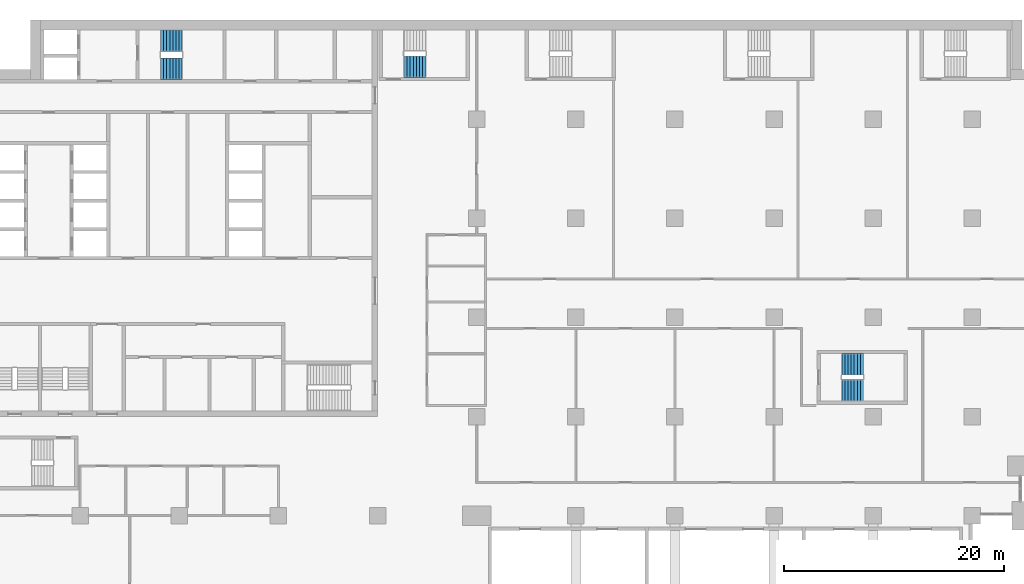
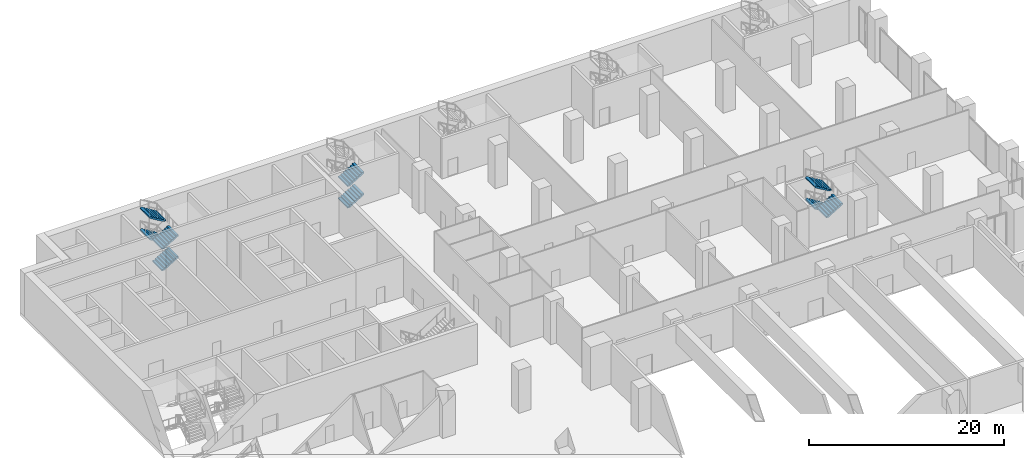
# One storey, part 27 of 43: 9 stair flights, 3 elements without a shape of their own.
"""IFC4 building model written with IfcOpenShell, lengths in metres."""

from ifc_helpers import new_model, si_unit, direction, frame, origin, place, context, subcontext, project, spatial, polyline, outline, extrude, material, type_object, element, aggregate, save


model = new_model("IFC4")

# Units and contexts
model_context = context("Model", 3, precision=1e-05, world=origin(), true_north=direction((0.0, 1.0)))
body_context = subcontext(model_context, "Body", "Model", "MODEL_VIEW")
ifc_project = project(units=[si_unit("LENGTHUNIT", "METRE"), si_unit("AREAUNIT", "SQUARE_METRE"), si_unit("VOLUMEUNIT", "CUBIC_METRE"), si_unit("PLANEANGLEUNIT", "RADIAN"), si_unit("MASSUNIT", "GRAM", prefix="KILO")], contexts=[model_context])

# Site, building, storey
site_placement = place(None, origin())
site = spatial("IfcSite", under=ifc_project, at=site_placement, CompositionType="ELEMENT")
building_placement = place(site_placement, origin())
building = spatial("IfcBuilding", under=site, at=building_placement, Name="Hunhe Ridgeline Campus", CompositionType="ELEMENT")
storey_placement = place(building_placement, frame((0.0, 0.0, 11.39990234375)))
storey = spatial("IfcBuildingStorey", under=building, at=storey_placement, Name="L02", CompositionType="ELEMENT", Elevation=11.39990234375)

# Stair, stair flights
ifc_material = material(Name="Concrete C40", Category="concrete")
stair_type = type_object("IfcStairType", Name="Reinforced concrete dog-leg stair 1950 Concrete C40", PredefinedType="HALF_TURN_STAIR", material=ifc_material)
stair_1_placement = place(storey_placement, origin())
stair_1 = element("IfcStair", 1, at=stair_1_placement, inside=storey, type_object=stair_type, Name="L02 S1", PredefinedType="HALF_TURN_STAIR")
stair_flight_type = type_object("IfcStairFlightType", Name="Reinforced concrete stair flight 1950 Concrete C40", PredefinedType="STRAIGHT", material=ifc_material)
stair_flight_1_placement = place(storey_placement, frame((16.300048828125, 94.574951171875, 0.0), z_axis=(0.0, 0.0, 1.0), x_axis=(1.0, 0.0, 0.0)))
stair_flight_1 = element("IfcStairFlight", 2, at=stair_flight_1_placement, type_object=stair_flight_type, Name="ST1 flight 1", NumberOfRisers=8, NumberOfTreads=7, PredefinedType="STRAIGHT", RiserHeight=0.16875, TreadLength=0.28, context=body_context, shape_type="SweptSolid", body=[
    extrude(outline(polyline([(0.0, 0.0), (0.0, 0.168701171875), (0.280029296875, 0.168701171875), (0.280029296875, 0.33740234375), (0.56005859375, 0.33740234375), (0.56005859375, 0.50634765625), (0.840087890625, 0.50634765625), (0.840087890625, 0.675048828125), (1.1201171875, 0.675048828125), (1.1201171875, 0.84375), (1.39990234375, 0.84375), (1.39990234375, 1.012451171875), (1.679931640625, 1.012451171875), (1.679931640625, 1.18115234375), (1.9599609375, 1.18115234375), (1.9599609375, 1.35009765625), (1.9599609375, 1.00634765625), (0.29052734375, 0.0), (0.0, 0.0)])), frame((0.0, 0.97509765625, 0.0), z_axis=(0.0, -1.0, 0.0), x_axis=(1.0, 0.0, 0.0)), (0.0, 0.0, 1.0), 1.949951171875),
    extrude(outline(polyline([(0.030029296875, 0.030029296875), (0.030029296875, 0.138916015625), (0.31005859375, 0.138916015625), (0.31005859375, 0.3076171875), (0.590087890625, 0.3076171875), (0.590087890625, 0.476318359375), (0.8701171875, 0.476318359375), (0.8701171875, 0.64501953125), (1.14990234375, 0.64501953125), (1.14990234375, 0.813720703125), (1.429931640625, 0.813720703125), (1.429931640625, 0.982421875), (1.7099609375, 0.982421875), (1.7099609375, 1.1513671875), (1.929931640625, 1.1513671875), (1.929931640625, 1.023193359375), (0.281982421875, 0.030029296875), (0.030029296875, 0.030029296875)])), frame((0.0, -0.070068359375, 0.0), z_axis=(0.0, -1.0, 0.0), x_axis=(1.0, 0.0, 0.0)), (0.0, 0.0, 1.0), 0.019775390625),
    extrude(outline(polyline([(0.030029296875, 0.030029296875), (0.030029296875, 0.138916015625), (0.31005859375, 0.138916015625), (0.31005859375, 0.3076171875), (0.590087890625, 0.3076171875), (0.590087890625, 0.476318359375), (0.8701171875, 0.476318359375), (0.8701171875, 0.64501953125), (1.14990234375, 0.64501953125), (1.14990234375, 0.813720703125), (1.429931640625, 0.813720703125), (1.429931640625, 0.982421875), (1.7099609375, 0.982421875), (1.7099609375, 1.1513671875), (1.929931640625, 1.1513671875), (1.929931640625, 1.023193359375), (0.281982421875, 0.030029296875), (0.030029296875, 0.030029296875)])), frame((0.0, 0.010009765625, 0.0), z_axis=(0.0, -1.0, 0.0), x_axis=(1.0, 0.0, 0.0)), (0.0, 0.0, 1.0), 0.019775390625),
    extrude(outline(polyline([(0.030029296875, 0.030029296875), (0.030029296875, 0.138916015625), (0.31005859375, 0.138916015625), (0.31005859375, 0.3076171875), (0.590087890625, 0.3076171875), (0.590087890625, 0.476318359375), (0.8701171875, 0.476318359375), (0.8701171875, 0.64501953125), (1.14990234375, 0.64501953125), (1.14990234375, 0.813720703125), (1.429931640625, 0.813720703125), (1.429931640625, 0.982421875), (1.7099609375, 0.982421875), (1.7099609375, 1.1513671875), (1.929931640625, 1.1513671875), (1.929931640625, 1.023193359375), (0.281982421875, 0.030029296875), (0.030029296875, 0.030029296875)])), frame((0.0, 0.090087890625, 0.0), z_axis=(0.0, -1.0, 0.0), x_axis=(1.0, 0.0, 0.0)), (0.0, 0.0, 1.0), 0.019775390625),
])
stair_flight_2_placement = place(storey_placement, frame((18.260009765625, 97.125, 1.35009765625), z_axis=(0.0, 0.0, 1.0), x_axis=(-1.0, 0.0, 0.0)))
stair_flight_2 = element("IfcStairFlight", 3, at=stair_flight_2_placement, type_object=stair_flight_type, Name="ST1 flight 2", NumberOfRisers=8, NumberOfTreads=7, PredefinedType="STRAIGHT", RiserHeight=0.16875, TreadLength=0.28, context=body_context, shape_type="SweptSolid", body=[
    extrude(outline(polyline([(0.0, 0.0), (0.0, 0.168701171875), (0.280029296875, 0.168701171875), (0.280029296875, 0.33740234375), (0.56005859375, 0.33740234375), (0.56005859375, 0.50634765625), (0.840087890625, 0.50634765625), (0.840087890625, 0.675048828125), (1.1201171875, 0.675048828125), (1.1201171875, 0.84375), (1.39990234375, 0.84375), (1.39990234375, 1.012451171875), (1.679931640625, 1.012451171875), (1.679931640625, 1.18115234375), (1.9599609375, 1.18115234375), (1.9599609375, 1.35009765625), (1.9599609375, 1.00634765625), (0.29052734375, 0.0), (0.0, 0.0)])), frame((0.0, 0.97509765625, 0.0), z_axis=(0.0, -1.0, 0.0), x_axis=(1.0, 0.0, 0.0)), (0.0, 0.0, 1.0), 1.949951171875),
    extrude(outline(polyline([(0.030029296875, 0.030029296875), (0.030029296875, 0.138916015625), (0.31005859375, 0.138916015625), (0.31005859375, 0.3076171875), (0.590087890625, 0.3076171875), (0.590087890625, 0.476318359375), (0.8701171875, 0.476318359375), (0.8701171875, 0.64501953125), (1.14990234375, 0.64501953125), (1.14990234375, 0.813720703125), (1.429931640625, 0.813720703125), (1.429931640625, 0.982421875), (1.7099609375, 0.982421875), (1.7099609375, 1.1513671875), (1.929931640625, 1.1513671875), (1.929931640625, 1.023193359375), (0.281982421875, 0.030029296875), (0.030029296875, 0.030029296875)])), frame((0.0, -0.070068359375, 0.0), z_axis=(0.0, -1.0, 0.0), x_axis=(1.0, 0.0, 0.0)), (0.0, 0.0, 1.0), 0.019775390625),
    extrude(outline(polyline([(0.030029296875, 0.030029296875), (0.030029296875, 0.138916015625), (0.31005859375, 0.138916015625), (0.31005859375, 0.3076171875), (0.590087890625, 0.3076171875), (0.590087890625, 0.476318359375), (0.8701171875, 0.476318359375), (0.8701171875, 0.64501953125), (1.14990234375, 0.64501953125), (1.14990234375, 0.813720703125), (1.429931640625, 0.813720703125), (1.429931640625, 0.982421875), (1.7099609375, 0.982421875), (1.7099609375, 1.1513671875), (1.929931640625, 1.1513671875), (1.929931640625, 1.023193359375), (0.281982421875, 0.030029296875), (0.030029296875, 0.030029296875)])), frame((0.0, 0.010009765625, 0.0), z_axis=(0.0, -1.0, 0.0), x_axis=(1.0, 0.0, 0.0)), (0.0, 0.0, 1.0), 0.019775390625),
    extrude(outline(polyline([(0.030029296875, 0.030029296875), (0.030029296875, 0.138916015625), (0.31005859375, 0.138916015625), (0.31005859375, 0.3076171875), (0.590087890625, 0.3076171875), (0.590087890625, 0.476318359375), (0.8701171875, 0.476318359375), (0.8701171875, 0.64501953125), (1.14990234375, 0.64501953125), (1.14990234375, 0.813720703125), (1.429931640625, 0.813720703125), (1.429931640625, 0.982421875), (1.7099609375, 0.982421875), (1.7099609375, 1.1513671875), (1.929931640625, 1.1513671875), (1.929931640625, 1.023193359375), (0.281982421875, 0.030029296875), (0.030029296875, 0.030029296875)])), frame((0.0, 0.090087890625, 0.0), z_axis=(0.0, -1.0, 0.0), x_axis=(1.0, 0.0, 0.0)), (0.0, 0.0, 1.0), 0.019775390625),
])
stair_flight_3_placement = place(storey_placement, frame((16.300048828125, 94.574951171875, 2.7001953125), z_axis=(0.0, 0.0, 1.0), x_axis=(1.0, 0.0, 0.0)))
stair_flight_3 = element("IfcStairFlight", 4, at=stair_flight_3_placement, type_object=stair_flight_type, Name="ST1 flight 3", NumberOfRisers=8, NumberOfTreads=7, PredefinedType="STRAIGHT", RiserHeight=0.16875, TreadLength=0.28, context=body_context, shape_type="SweptSolid", body=[
    extrude(outline(polyline([(0.0, 0.0), (0.0, 0.168701171875), (0.280029296875, 0.168701171875), (0.280029296875, 0.33740234375), (0.56005859375, 0.33740234375), (0.56005859375, 0.50634765625), (0.840087890625, 0.50634765625), (0.840087890625, 0.675048828125), (1.1201171875, 0.675048828125), (1.1201171875, 0.84375), (1.39990234375, 0.84375), (1.39990234375, 1.012451171875), (1.679931640625, 1.012451171875), (1.679931640625, 1.18115234375), (1.9599609375, 1.18115234375), (1.9599609375, 1.35009765625), (1.9599609375, 1.00634765625), (0.29052734375, 0.0), (0.0, 0.0)])), frame((0.0, 0.97509765625, 0.0), z_axis=(0.0, -1.0, 0.0), x_axis=(1.0, 0.0, 0.0)), (0.0, 0.0, 1.0), 1.949951171875),
    extrude(outline(polyline([(0.030029296875, 0.030029296875), (0.030029296875, 0.138916015625), (0.31005859375, 0.138916015625), (0.31005859375, 0.3076171875), (0.590087890625, 0.3076171875), (0.590087890625, 0.476318359375), (0.8701171875, 0.476318359375), (0.8701171875, 0.64501953125), (1.14990234375, 0.64501953125), (1.14990234375, 0.813720703125), (1.429931640625, 0.813720703125), (1.429931640625, 0.982421875), (1.7099609375, 0.982421875), (1.7099609375, 1.1513671875), (1.929931640625, 1.1513671875), (1.929931640625, 1.023193359375), (0.281982421875, 0.030029296875), (0.030029296875, 0.030029296875)])), frame((0.0, -0.070068359375, 0.0), z_axis=(0.0, -1.0, 0.0), x_axis=(1.0, 0.0, 0.0)), (0.0, 0.0, 1.0), 0.019775390625),
    extrude(outline(polyline([(0.030029296875, 0.030029296875), (0.030029296875, 0.138916015625), (0.31005859375, 0.138916015625), (0.31005859375, 0.3076171875), (0.590087890625, 0.3076171875), (0.590087890625, 0.476318359375), (0.8701171875, 0.476318359375), (0.8701171875, 0.64501953125), (1.14990234375, 0.64501953125), (1.14990234375, 0.813720703125), (1.429931640625, 0.813720703125), (1.429931640625, 0.982421875), (1.7099609375, 0.982421875), (1.7099609375, 1.1513671875), (1.929931640625, 1.1513671875), (1.929931640625, 1.023193359375), (0.281982421875, 0.030029296875), (0.030029296875, 0.030029296875)])), frame((0.0, 0.010009765625, 0.0), z_axis=(0.0, -1.0, 0.0), x_axis=(1.0, 0.0, 0.0)), (0.0, 0.0, 1.0), 0.019775390625),
    extrude(outline(polyline([(0.030029296875, 0.030029296875), (0.030029296875, 0.138916015625), (0.31005859375, 0.138916015625), (0.31005859375, 0.3076171875), (0.590087890625, 0.3076171875), (0.590087890625, 0.476318359375), (0.8701171875, 0.476318359375), (0.8701171875, 0.64501953125), (1.14990234375, 0.64501953125), (1.14990234375, 0.813720703125), (1.429931640625, 0.813720703125), (1.429931640625, 0.982421875), (1.7099609375, 0.982421875), (1.7099609375, 1.1513671875), (1.929931640625, 1.1513671875), (1.929931640625, 1.023193359375), (0.281982421875, 0.030029296875), (0.030029296875, 0.030029296875)])), frame((0.0, 0.090087890625, 0.0), z_axis=(0.0, -1.0, 0.0), x_axis=(1.0, 0.0, 0.0)), (0.0, 0.0, 1.0), 0.019775390625),
])
stair_flight_4_placement = place(storey_placement, frame((18.260009765625, 97.125, 4.050048828125), z_axis=(0.0, 0.0, 1.0), x_axis=(-1.0, 0.0, 0.0)))
stair_flight_4 = element("IfcStairFlight", 5, at=stair_flight_4_placement, type_object=stair_flight_type, Name="ST1 flight 4", NumberOfRisers=8, NumberOfTreads=7, PredefinedType="STRAIGHT", RiserHeight=0.16875, TreadLength=0.28, context=body_context, shape_type="SweptSolid", body=[
    extrude(outline(polyline([(0.0, 0.0), (0.0, 0.168701171875), (0.280029296875, 0.168701171875), (0.280029296875, 0.33740234375), (0.56005859375, 0.33740234375), (0.56005859375, 0.50634765625), (0.840087890625, 0.50634765625), (0.840087890625, 0.675048828125), (1.1201171875, 0.675048828125), (1.1201171875, 0.84375), (1.39990234375, 0.84375), (1.39990234375, 1.012451171875), (1.679931640625, 1.012451171875), (1.679931640625, 1.18115234375), (1.9599609375, 1.18115234375), (1.9599609375, 1.35009765625), (1.9599609375, 1.00634765625), (0.29052734375, 0.0), (0.0, 0.0)])), frame((0.0, 0.97509765625, 0.0), z_axis=(0.0, -1.0, 0.0), x_axis=(1.0, 0.0, 0.0)), (0.0, 0.0, 1.0), 1.949951171875),
    extrude(outline(polyline([(0.030029296875, 0.030029296875), (0.030029296875, 0.138916015625), (0.31005859375, 0.138916015625), (0.31005859375, 0.3076171875), (0.590087890625, 0.3076171875), (0.590087890625, 0.476318359375), (0.8701171875, 0.476318359375), (0.8701171875, 0.64501953125), (1.14990234375, 0.64501953125), (1.14990234375, 0.813720703125), (1.429931640625, 0.813720703125), (1.429931640625, 0.982421875), (1.7099609375, 0.982421875), (1.7099609375, 1.1513671875), (1.929931640625, 1.1513671875), (1.929931640625, 1.023193359375), (0.281982421875, 0.030029296875), (0.030029296875, 0.030029296875)])), frame((0.0, -0.070068359375, 0.0), z_axis=(0.0, -1.0, 0.0), x_axis=(1.0, 0.0, 0.0)), (0.0, 0.0, 1.0), 0.019775390625),
    extrude(outline(polyline([(0.030029296875, 0.030029296875), (0.030029296875, 0.138916015625), (0.31005859375, 0.138916015625), (0.31005859375, 0.3076171875), (0.590087890625, 0.3076171875), (0.590087890625, 0.476318359375), (0.8701171875, 0.476318359375), (0.8701171875, 0.64501953125), (1.14990234375, 0.64501953125), (1.14990234375, 0.813720703125), (1.429931640625, 0.813720703125), (1.429931640625, 0.982421875), (1.7099609375, 0.982421875), (1.7099609375, 1.1513671875), (1.929931640625, 1.1513671875), (1.929931640625, 1.023193359375), (0.281982421875, 0.030029296875), (0.030029296875, 0.030029296875)])), frame((0.0, 0.010009765625, 0.0), z_axis=(0.0, -1.0, 0.0), x_axis=(1.0, 0.0, 0.0)), (0.0, 0.0, 1.0), 0.019775390625),
    extrude(outline(polyline([(0.030029296875, 0.030029296875), (0.030029296875, 0.138916015625), (0.31005859375, 0.138916015625), (0.31005859375, 0.3076171875), (0.590087890625, 0.3076171875), (0.590087890625, 0.476318359375), (0.8701171875, 0.476318359375), (0.8701171875, 0.64501953125), (1.14990234375, 0.64501953125), (1.14990234375, 0.813720703125), (1.429931640625, 0.813720703125), (1.429931640625, 0.982421875), (1.7099609375, 0.982421875), (1.7099609375, 1.1513671875), (1.929931640625, 1.1513671875), (1.929931640625, 1.023193359375), (0.281982421875, 0.030029296875), (0.030029296875, 0.030029296875)])), frame((0.0, 0.090087890625, 0.0), z_axis=(0.0, -1.0, 0.0), x_axis=(1.0, 0.0, 0.0)), (0.0, 0.0, 1.0), 0.019775390625),
])
aggregate(stair_1, [stair_flight_1, stair_flight_2, stair_flight_3, stair_flight_4])

stair_2_placement = place(storey_placement, origin())
stair_2 = element("IfcStair", 6, at=stair_2_placement, inside=storey, type_object=stair_type, Name="L02 E1", PredefinedType="HALF_TURN_STAIR")
stair_flight_5_placement = place(storey_placement, frame((38.39990234375, 94.77490234375, 0.0), z_axis=(0.0, 0.0, 1.0), x_axis=(1.0, 0.0, 0.0)))
stair_flight_5 = element("IfcStairFlight", 7, at=stair_flight_5_placement, type_object=stair_flight_type, Name="ST5 flight 1", NumberOfRisers=8, NumberOfTreads=7, PredefinedType="STRAIGHT", RiserHeight=0.16875, TreadLength=0.28, context=body_context, shape_type="SweptSolid", body=[
    extrude(outline(polyline([(0.0, 0.0), (0.0, 0.168701171875), (0.280029296875, 0.168701171875), (0.280029296875, 0.33740234375), (0.56005859375, 0.33740234375), (0.56005859375, 0.50634765625), (0.840087890625, 0.50634765625), (0.840087890625, 0.675048828125), (1.1201171875, 0.675048828125), (1.1201171875, 0.84375), (1.39990234375, 0.84375), (1.39990234375, 1.012451171875), (1.679931640625, 1.012451171875), (1.679931640625, 1.18115234375), (1.9599609375, 1.18115234375), (1.9599609375, 1.35009765625), (1.9599609375, 1.00634765625), (0.29052734375, 0.0), (0.0, 0.0)])), frame((0.0, 0.97509765625, 0.0), z_axis=(0.0, -1.0, 0.0), x_axis=(1.0, 0.0, 0.0)), (0.0, 0.0, 1.0), 1.949951171875),
    extrude(outline(polyline([(0.030029296875, 0.030029296875), (0.030029296875, 0.138916015625), (0.31005859375, 0.138916015625), (0.31005859375, 0.3076171875), (0.590087890625, 0.3076171875), (0.590087890625, 0.476318359375), (0.8701171875, 0.476318359375), (0.8701171875, 0.64501953125), (1.14990234375, 0.64501953125), (1.14990234375, 0.813720703125), (1.429931640625, 0.813720703125), (1.429931640625, 0.982421875), (1.7099609375, 0.982421875), (1.7099609375, 1.1513671875), (1.929931640625, 1.1513671875), (1.929931640625, 1.023193359375), (0.281982421875, 0.030029296875), (0.030029296875, 0.030029296875)])), frame((0.0, -0.070068359375, 0.0), z_axis=(0.0, -1.0, 0.0), x_axis=(1.0, 0.0, 0.0)), (0.0, 0.0, 1.0), 0.019775390625),
    extrude(outline(polyline([(0.030029296875, 0.030029296875), (0.030029296875, 0.138916015625), (0.31005859375, 0.138916015625), (0.31005859375, 0.3076171875), (0.590087890625, 0.3076171875), (0.590087890625, 0.476318359375), (0.8701171875, 0.476318359375), (0.8701171875, 0.64501953125), (1.14990234375, 0.64501953125), (1.14990234375, 0.813720703125), (1.429931640625, 0.813720703125), (1.429931640625, 0.982421875), (1.7099609375, 0.982421875), (1.7099609375, 1.1513671875), (1.929931640625, 1.1513671875), (1.929931640625, 1.023193359375), (0.281982421875, 0.030029296875), (0.030029296875, 0.030029296875)])), frame((0.0, 0.010009765625, 0.0), z_axis=(0.0, -1.0, 0.0), x_axis=(1.0, 0.0, 0.0)), (0.0, 0.0, 1.0), 0.019775390625),
    extrude(outline(polyline([(0.030029296875, 0.030029296875), (0.030029296875, 0.138916015625), (0.31005859375, 0.138916015625), (0.31005859375, 0.3076171875), (0.590087890625, 0.3076171875), (0.590087890625, 0.476318359375), (0.8701171875, 0.476318359375), (0.8701171875, 0.64501953125), (1.14990234375, 0.64501953125), (1.14990234375, 0.813720703125), (1.429931640625, 0.813720703125), (1.429931640625, 0.982421875), (1.7099609375, 0.982421875), (1.7099609375, 1.1513671875), (1.929931640625, 1.1513671875), (1.929931640625, 1.023193359375), (0.281982421875, 0.030029296875), (0.030029296875, 0.030029296875)])), frame((0.0, 0.090087890625, 0.0), z_axis=(0.0, -1.0, 0.0), x_axis=(1.0, 0.0, 0.0)), (0.0, 0.0, 1.0), 0.019775390625),
])
stair_flight_6_placement = place(storey_placement, frame((38.39990234375, 94.77490234375, 2.7001953125), z_axis=(0.0, 0.0, 1.0), x_axis=(1.0, 0.0, 0.0)))
stair_flight_6 = element("IfcStairFlight", 8, at=stair_flight_6_placement, type_object=stair_flight_type, Name="ST5 flight 3", NumberOfRisers=8, NumberOfTreads=7, PredefinedType="STRAIGHT", RiserHeight=0.16875, TreadLength=0.28, context=body_context, shape_type="SweptSolid", body=[
    extrude(outline(polyline([(0.0, 0.0), (0.0, 0.168701171875), (0.280029296875, 0.168701171875), (0.280029296875, 0.33740234375), (0.56005859375, 0.33740234375), (0.56005859375, 0.50634765625), (0.840087890625, 0.50634765625), (0.840087890625, 0.675048828125), (1.1201171875, 0.675048828125), (1.1201171875, 0.84375), (1.39990234375, 0.84375), (1.39990234375, 1.012451171875), (1.679931640625, 1.012451171875), (1.679931640625, 1.18115234375), (1.9599609375, 1.18115234375), (1.9599609375, 1.35009765625), (1.9599609375, 1.00634765625), (0.29052734375, 0.0), (0.0, 0.0)])), frame((0.0, 0.97509765625, 0.0), z_axis=(0.0, -1.0, 0.0), x_axis=(1.0, 0.0, 0.0)), (0.0, 0.0, 1.0), 1.949951171875),
    extrude(outline(polyline([(0.030029296875, 0.030029296875), (0.030029296875, 0.138916015625), (0.31005859375, 0.138916015625), (0.31005859375, 0.3076171875), (0.590087890625, 0.3076171875), (0.590087890625, 0.476318359375), (0.8701171875, 0.476318359375), (0.8701171875, 0.64501953125), (1.14990234375, 0.64501953125), (1.14990234375, 0.813720703125), (1.429931640625, 0.813720703125), (1.429931640625, 0.982421875), (1.7099609375, 0.982421875), (1.7099609375, 1.1513671875), (1.929931640625, 1.1513671875), (1.929931640625, 1.023193359375), (0.281982421875, 0.030029296875), (0.030029296875, 0.030029296875)])), frame((0.0, -0.070068359375, 0.0), z_axis=(0.0, -1.0, 0.0), x_axis=(1.0, 0.0, 0.0)), (0.0, 0.0, 1.0), 0.019775390625),
    extrude(outline(polyline([(0.030029296875, 0.030029296875), (0.030029296875, 0.138916015625), (0.31005859375, 0.138916015625), (0.31005859375, 0.3076171875), (0.590087890625, 0.3076171875), (0.590087890625, 0.476318359375), (0.8701171875, 0.476318359375), (0.8701171875, 0.64501953125), (1.14990234375, 0.64501953125), (1.14990234375, 0.813720703125), (1.429931640625, 0.813720703125), (1.429931640625, 0.982421875), (1.7099609375, 0.982421875), (1.7099609375, 1.1513671875), (1.929931640625, 1.1513671875), (1.929931640625, 1.023193359375), (0.281982421875, 0.030029296875), (0.030029296875, 0.030029296875)])), frame((0.0, 0.010009765625, 0.0), z_axis=(0.0, -1.0, 0.0), x_axis=(1.0, 0.0, 0.0)), (0.0, 0.0, 1.0), 0.019775390625),
    extrude(outline(polyline([(0.030029296875, 0.030029296875), (0.030029296875, 0.138916015625), (0.31005859375, 0.138916015625), (0.31005859375, 0.3076171875), (0.590087890625, 0.3076171875), (0.590087890625, 0.476318359375), (0.8701171875, 0.476318359375), (0.8701171875, 0.64501953125), (1.14990234375, 0.64501953125), (1.14990234375, 0.813720703125), (1.429931640625, 0.813720703125), (1.429931640625, 0.982421875), (1.7099609375, 0.982421875), (1.7099609375, 1.1513671875), (1.929931640625, 1.1513671875), (1.929931640625, 1.023193359375), (0.281982421875, 0.030029296875), (0.030029296875, 0.030029296875)])), frame((0.0, 0.090087890625, 0.0), z_axis=(0.0, -1.0, 0.0), x_axis=(1.0, 0.0, 0.0)), (0.0, 0.0, 1.0), 0.019775390625),
])
aggregate(stair_2, [stair_flight_5, stair_flight_6])

stair_3_placement = place(storey_placement, origin())
stair_3 = element("IfcStair", 9, at=stair_3_placement, inside=storey, type_object=stair_type, Name="L02 E5", PredefinedType="HALF_TURN_STAIR")
stair_flight_7_placement = place(storey_placement, frame((80.110107421875, 67.72509765625, 1.35009765625), z_axis=(0.0, 0.0, 1.0), x_axis=(-1.0, 0.0, 0.0)))
stair_flight_7 = element("IfcStairFlight", 10, at=stair_flight_7_placement, type_object=stair_flight_type, Name="ST10 flight 2", NumberOfRisers=8, NumberOfTreads=7, PredefinedType="STRAIGHT", RiserHeight=0.16875, TreadLength=0.28, context=body_context, shape_type="SweptSolid", body=[
    extrude(outline(polyline([(0.0, 0.0), (0.0, 0.168701171875), (0.280029296875, 0.168701171875), (0.280029296875, 0.33740234375), (0.56005859375, 0.33740234375), (0.56005859375, 0.50634765625), (0.840087890625, 0.50634765625), (0.840087890625, 0.675048828125), (1.1201171875, 0.675048828125), (1.1201171875, 0.84375), (1.39990234375, 0.84375), (1.39990234375, 1.012451171875), (1.679931640625, 1.012451171875), (1.679931640625, 1.18115234375), (1.9599609375, 1.18115234375), (1.9599609375, 1.35009765625), (1.9599609375, 1.00634765625), (0.29052734375, 0.0), (0.0, 0.0)])), frame((0.0, 0.97509765625, 0.0), z_axis=(0.0, -1.0, 0.0), x_axis=(1.0, 0.0, 0.0)), (0.0, 0.0, 1.0), 1.949951171875),
    extrude(outline(polyline([(0.030029296875, 0.030029296875), (0.030029296875, 0.138916015625), (0.31005859375, 0.138916015625), (0.31005859375, 0.3076171875), (0.590087890625, 0.3076171875), (0.590087890625, 0.476318359375), (0.8701171875, 0.476318359375), (0.8701171875, 0.64501953125), (1.14990234375, 0.64501953125), (1.14990234375, 0.813720703125), (1.429931640625, 0.813720703125), (1.429931640625, 0.982421875), (1.7099609375, 0.982421875), (1.7099609375, 1.1513671875), (1.929931640625, 1.1513671875), (1.929931640625, 1.023193359375), (0.281982421875, 0.030029296875), (0.030029296875, 0.030029296875)])), frame((0.0, -0.070068359375, 0.0), z_axis=(0.0, -1.0, 0.0), x_axis=(1.0, 0.0, 0.0)), (0.0, 0.0, 1.0), 0.019775390625),
    extrude(outline(polyline([(0.030029296875, 0.030029296875), (0.030029296875, 0.138916015625), (0.31005859375, 0.138916015625), (0.31005859375, 0.3076171875), (0.590087890625, 0.3076171875), (0.590087890625, 0.476318359375), (0.8701171875, 0.476318359375), (0.8701171875, 0.64501953125), (1.14990234375, 0.64501953125), (1.14990234375, 0.813720703125), (1.429931640625, 0.813720703125), (1.429931640625, 0.982421875), (1.7099609375, 0.982421875), (1.7099609375, 1.1513671875), (1.929931640625, 1.1513671875), (1.929931640625, 1.023193359375), (0.281982421875, 0.030029296875), (0.030029296875, 0.030029296875)])), frame((0.0, 0.010009765625, 0.0), z_axis=(0.0, -1.0, 0.0), x_axis=(1.0, 0.0, 0.0)), (0.0, 0.0, 1.0), 0.019775390625),
    extrude(outline(polyline([(0.030029296875, 0.030029296875), (0.030029296875, 0.138916015625), (0.31005859375, 0.138916015625), (0.31005859375, 0.3076171875), (0.590087890625, 0.3076171875), (0.590087890625, 0.476318359375), (0.8701171875, 0.476318359375), (0.8701171875, 0.64501953125), (1.14990234375, 0.64501953125), (1.14990234375, 0.813720703125), (1.429931640625, 0.813720703125), (1.429931640625, 0.982421875), (1.7099609375, 0.982421875), (1.7099609375, 1.1513671875), (1.929931640625, 1.1513671875), (1.929931640625, 1.023193359375), (0.281982421875, 0.030029296875), (0.030029296875, 0.030029296875)])), frame((0.0, 0.090087890625, 0.0), z_axis=(0.0, -1.0, 0.0), x_axis=(1.0, 0.0, 0.0)), (0.0, 0.0, 1.0), 0.019775390625),
])
stair_flight_8_placement = place(storey_placement, frame((78.14990234375, 65.375, 2.7001953125), z_axis=(0.0, 0.0, 1.0), x_axis=(1.0, 0.0, 0.0)))
stair_flight_8 = element("IfcStairFlight", 11, at=stair_flight_8_placement, type_object=stair_flight_type, Name="ST10 flight 3", NumberOfRisers=8, NumberOfTreads=7, PredefinedType="STRAIGHT", RiserHeight=0.16875, TreadLength=0.28, context=body_context, shape_type="SweptSolid", body=[
    extrude(outline(polyline([(0.0, 0.0), (0.0, 0.168701171875), (0.280029296875, 0.168701171875), (0.280029296875, 0.33740234375), (0.56005859375, 0.33740234375), (0.56005859375, 0.50634765625), (0.840087890625, 0.50634765625), (0.840087890625, 0.675048828125), (1.1201171875, 0.675048828125), (1.1201171875, 0.84375), (1.39990234375, 0.84375), (1.39990234375, 1.012451171875), (1.679931640625, 1.012451171875), (1.679931640625, 1.18115234375), (1.9599609375, 1.18115234375), (1.9599609375, 1.35009765625), (1.9599609375, 1.00634765625), (0.29052734375, 0.0), (0.0, 0.0)])), frame((0.0, 0.97509765625, 0.0), z_axis=(0.0, -1.0, 0.0), x_axis=(1.0, 0.0, 0.0)), (0.0, 0.0, 1.0), 1.949951171875),
    extrude(outline(polyline([(0.030029296875, 0.030029296875), (0.030029296875, 0.138916015625), (0.31005859375, 0.138916015625), (0.31005859375, 0.3076171875), (0.590087890625, 0.3076171875), (0.590087890625, 0.476318359375), (0.8701171875, 0.476318359375), (0.8701171875, 0.64501953125), (1.14990234375, 0.64501953125), (1.14990234375, 0.813720703125), (1.429931640625, 0.813720703125), (1.429931640625, 0.982421875), (1.7099609375, 0.982421875), (1.7099609375, 1.1513671875), (1.929931640625, 1.1513671875), (1.929931640625, 1.023193359375), (0.281982421875, 0.030029296875), (0.030029296875, 0.030029296875)])), frame((0.0, -0.070068359375, 0.0), z_axis=(0.0, -1.0, 0.0), x_axis=(1.0, 0.0, 0.0)), (0.0, 0.0, 1.0), 0.019775390625),
    extrude(outline(polyline([(0.030029296875, 0.030029296875), (0.030029296875, 0.138916015625), (0.31005859375, 0.138916015625), (0.31005859375, 0.3076171875), (0.590087890625, 0.3076171875), (0.590087890625, 0.476318359375), (0.8701171875, 0.476318359375), (0.8701171875, 0.64501953125), (1.14990234375, 0.64501953125), (1.14990234375, 0.813720703125), (1.429931640625, 0.813720703125), (1.429931640625, 0.982421875), (1.7099609375, 0.982421875), (1.7099609375, 1.1513671875), (1.929931640625, 1.1513671875), (1.929931640625, 1.023193359375), (0.281982421875, 0.030029296875), (0.030029296875, 0.030029296875)])), frame((0.0, 0.010009765625, 0.0), z_axis=(0.0, -1.0, 0.0), x_axis=(1.0, 0.0, 0.0)), (0.0, 0.0, 1.0), 0.019775390625),
    extrude(outline(polyline([(0.030029296875, 0.030029296875), (0.030029296875, 0.138916015625), (0.31005859375, 0.138916015625), (0.31005859375, 0.3076171875), (0.590087890625, 0.3076171875), (0.590087890625, 0.476318359375), (0.8701171875, 0.476318359375), (0.8701171875, 0.64501953125), (1.14990234375, 0.64501953125), (1.14990234375, 0.813720703125), (1.429931640625, 0.813720703125), (1.429931640625, 0.982421875), (1.7099609375, 0.982421875), (1.7099609375, 1.1513671875), (1.929931640625, 1.1513671875), (1.929931640625, 1.023193359375), (0.281982421875, 0.030029296875), (0.030029296875, 0.030029296875)])), frame((0.0, 0.090087890625, 0.0), z_axis=(0.0, -1.0, 0.0), x_axis=(1.0, 0.0, 0.0)), (0.0, 0.0, 1.0), 0.019775390625),
])
stair_flight_9_placement = place(storey_placement, frame((80.110107421875, 67.72509765625, 4.050048828125), z_axis=(0.0, 0.0, 1.0), x_axis=(-1.0, 0.0, 0.0)))
stair_flight_9 = element("IfcStairFlight", 12, at=stair_flight_9_placement, type_object=stair_flight_type, Name="ST10 flight 4", NumberOfRisers=8, NumberOfTreads=7, PredefinedType="STRAIGHT", RiserHeight=0.16875, TreadLength=0.28, context=body_context, shape_type="SweptSolid", body=[
    extrude(outline(polyline([(0.0, 0.0), (0.0, 0.168701171875), (0.280029296875, 0.168701171875), (0.280029296875, 0.33740234375), (0.56005859375, 0.33740234375), (0.56005859375, 0.50634765625), (0.840087890625, 0.50634765625), (0.840087890625, 0.675048828125), (1.1201171875, 0.675048828125), (1.1201171875, 0.84375), (1.39990234375, 0.84375), (1.39990234375, 1.012451171875), (1.679931640625, 1.012451171875), (1.679931640625, 1.18115234375), (1.9599609375, 1.18115234375), (1.9599609375, 1.35009765625), (1.9599609375, 1.00634765625), (0.29052734375, 0.0), (0.0, 0.0)])), frame((0.0, 0.97509765625, 0.0), z_axis=(0.0, -1.0, 0.0), x_axis=(1.0, 0.0, 0.0)), (0.0, 0.0, 1.0), 1.949951171875),
    extrude(outline(polyline([(0.030029296875, 0.030029296875), (0.030029296875, 0.138916015625), (0.31005859375, 0.138916015625), (0.31005859375, 0.3076171875), (0.590087890625, 0.3076171875), (0.590087890625, 0.476318359375), (0.8701171875, 0.476318359375), (0.8701171875, 0.64501953125), (1.14990234375, 0.64501953125), (1.14990234375, 0.813720703125), (1.429931640625, 0.813720703125), (1.429931640625, 0.982421875), (1.7099609375, 0.982421875), (1.7099609375, 1.1513671875), (1.929931640625, 1.1513671875), (1.929931640625, 1.023193359375), (0.281982421875, 0.030029296875), (0.030029296875, 0.030029296875)])), frame((0.0, -0.070068359375, 0.0), z_axis=(0.0, -1.0, 0.0), x_axis=(1.0, 0.0, 0.0)), (0.0, 0.0, 1.0), 0.019775390625),
    extrude(outline(polyline([(0.030029296875, 0.030029296875), (0.030029296875, 0.138916015625), (0.31005859375, 0.138916015625), (0.31005859375, 0.3076171875), (0.590087890625, 0.3076171875), (0.590087890625, 0.476318359375), (0.8701171875, 0.476318359375), (0.8701171875, 0.64501953125), (1.14990234375, 0.64501953125), (1.14990234375, 0.813720703125), (1.429931640625, 0.813720703125), (1.429931640625, 0.982421875), (1.7099609375, 0.982421875), (1.7099609375, 1.1513671875), (1.929931640625, 1.1513671875), (1.929931640625, 1.023193359375), (0.281982421875, 0.030029296875), (0.030029296875, 0.030029296875)])), frame((0.0, 0.010009765625, 0.0), z_axis=(0.0, -1.0, 0.0), x_axis=(1.0, 0.0, 0.0)), (0.0, 0.0, 1.0), 0.019775390625),
    extrude(outline(polyline([(0.030029296875, 0.030029296875), (0.030029296875, 0.138916015625), (0.31005859375, 0.138916015625), (0.31005859375, 0.3076171875), (0.590087890625, 0.3076171875), (0.590087890625, 0.476318359375), (0.8701171875, 0.476318359375), (0.8701171875, 0.64501953125), (1.14990234375, 0.64501953125), (1.14990234375, 0.813720703125), (1.429931640625, 0.813720703125), (1.429931640625, 0.982421875), (1.7099609375, 0.982421875), (1.7099609375, 1.1513671875), (1.929931640625, 1.1513671875), (1.929931640625, 1.023193359375), (0.281982421875, 0.030029296875), (0.030029296875, 0.030029296875)])), frame((0.0, 0.090087890625, 0.0), z_axis=(0.0, -1.0, 0.0), x_axis=(1.0, 0.0, 0.0)), (0.0, 0.0, 1.0), 0.019775390625),
])
aggregate(stair_3, [stair_flight_7, stair_flight_8, stair_flight_9])

save(model, "model.ifc")
